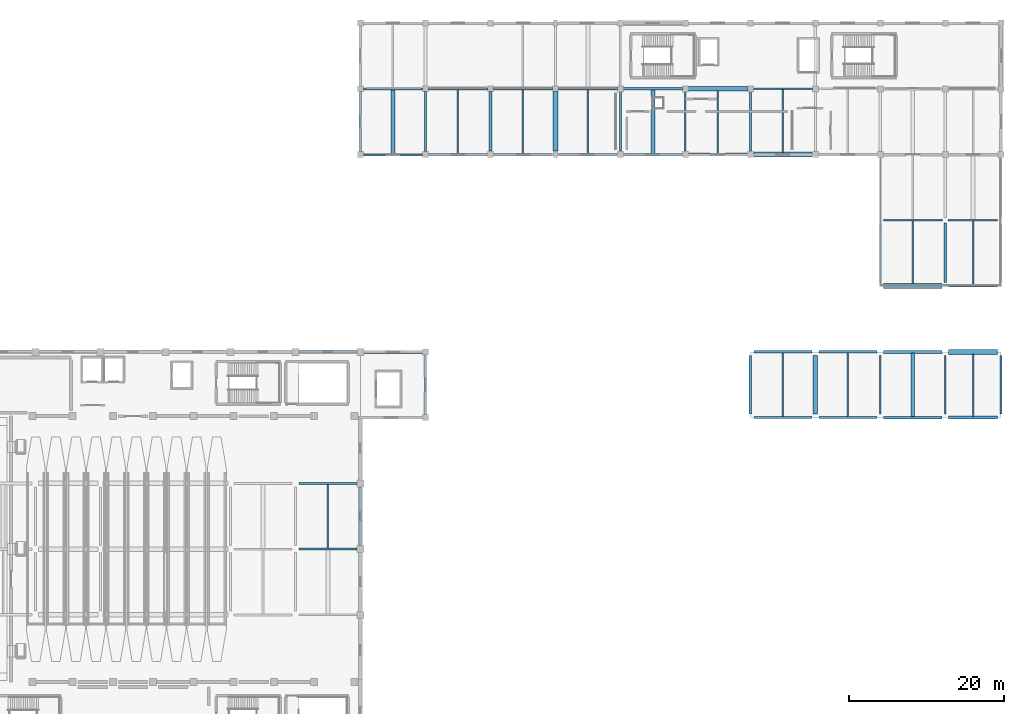
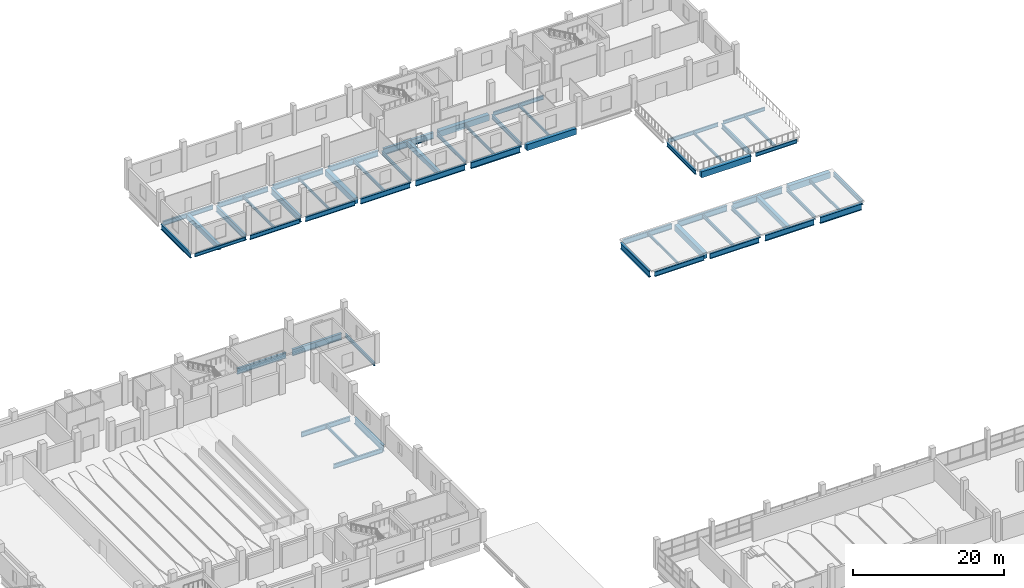
# One storey, part 72 of 117: 60 beams.
"""IFC4 building model written with IfcOpenShell, lengths in metres."""

from ifc_helpers import new_model, si_unit, direction, frame, origin, origin_2d, place, context, subcontext, project, spatial, rectangle, i_section, extrude, material, material_profile, profile_set, type_object, element, save


model = new_model("IFC4")

# Units and contexts
model_context = context("Model", 3, precision=1e-05, world=origin(), true_north=direction((0.0, 1.0)))
body_context = subcontext(model_context, "Body", "Model", "MODEL_VIEW")
ifc_project = project(units=[si_unit("LENGTHUNIT", "METRE"), si_unit("AREAUNIT", "SQUARE_METRE"), si_unit("VOLUMEUNIT", "CUBIC_METRE"), si_unit("PLANEANGLEUNIT", "RADIAN"), si_unit("MASSUNIT", "GRAM", prefix="KILO")], contexts=[model_context])

# Site, building, storey
site_placement = place(None, origin())
site = spatial("IfcSite", under=ifc_project, at=site_placement, CompositionType="ELEMENT")
building_placement = place(site_placement, origin())
building = spatial("IfcBuilding", under=site, at=building_placement, Name="Solvento Point Concert Hall", CompositionType="ELEMENT")
storey_placement = place(building_placement, frame((0.0, 0.0, 5.39990234375)))
storey = spatial("IfcBuildingStorey", under=building, at=storey_placement, Name="L01", CompositionType="ELEMENT", Elevation=5.39990234375)

# Beams
ifc_material_1 = material(Name="Concrete C35/45", Category="concrete")
ifc_material_profile_1 = material_profile(ifc_material_1, rectangle(XDim=0.5, YDim=0.800048828125, at=origin_2d()), Name="RC-BM-500X800")
ifc_profile_set_1 = profile_set([ifc_material_profile_1], Name="Concrete C35/45")
beam_type_1 = type_object("IfcBeamType", Name="Beam_RC_500x800", PredefinedType="BEAM", material=ifc_profile_set_1)
beam_1_placement = place(storey_placement, frame((137.39990234375, 119.092041015625, -0.683837890625), z_axis=(0.0, 1.0, 0.0), x_axis=(-1.0, 0.0, 0.0)))
element("IfcBeam", 1, at=beam_1_placement, inside=storey, type_object=beam_type_1, Name="Secondary floor joist B-63 L01", PredefinedType="BEAM", context=body_context, shape_type="SweptSolid", body=[
    extrude(rectangle(XDim=0.5, YDim=0.800048828125, at=origin_2d()), origin(), (0.0, 0.0, 1.0), 8.294921875),
])
for number, where, z_axis, x_axis, name in (
    (2, (171.0, 119.138916015625, -0.683837890625), (0.0, 1.0, 0.0), (-1.0, 0.0, 0.0), "Secondary floor joist B-63 L01"),
    (3, (204.60009765625, 85.138916015625, -0.663818359375), (0.0, 1.0, 0.0), (-1.0, 0.0, 0.0), "Secondary floor joist B-63 L01"),
):
    element("IfcBeam", number, at=place(storey_placement, frame(where, z_axis=z_axis, x_axis=x_axis)), inside=storey, type_object=beam_type_1, Name=name, PredefinedType="BEAM", context=body_context, shape_type="SweptSolid", body=[
        extrude(rectangle(XDim=0.5, YDim=0.800048828125, at=origin_2d()), origin(), (0.0, 0.0, 1.0), 8.195556640625),
    ])
ifc_material_2 = material(Name="Structural Steel ASTM A992 Grade 50", Category="steel")
ifc_material_profile_2 = material_profile(ifc_material_2, i_section(OverallWidth=0.20947265625, OverallDepth=0.532958984375, WebThickness=0.01025390625, FlangeThickness=0.015625, at=origin_2d()), Name="W21X62")
ifc_profile_set_2 = profile_set([ifc_material_profile_2], Name="Structural Steel ASTM A992 Grade 50")
beam_type_2 = type_object("IfcBeamType", Name="Beam_W21X62", PredefinedType="BEAM", material=ifc_profile_set_2)
for number, where, z_axis, x_axis, name in (
    (4, (162.60009765625, 119.131103515625, -0.55029296875), (0.0, 1.0, 0.0), (-1.0, 0.0, 0.0), "Secondary floor joist B-25 L01"),
    (5, (196.199951171875, 85.131103515625, -0.530517578125), (0.0, 1.0, 0.0), (-1.0, 0.0, 0.0), "Secondary floor joist B-25 L01"),
):
    element("IfcBeam", number, at=place(storey_placement, frame(where, z_axis=z_axis, x_axis=x_axis)), inside=storey, type_object=beam_type_2, Name=name, PredefinedType="BEAM", context=body_context, shape_type="SweptSolid", body=[
        extrude(i_section(OverallWidth=0.20947265625, OverallDepth=0.532958984375, WebThickness=0.01025390625, FlangeThickness=0.015625, at=origin_2d()), origin(), (0.0, 0.0, 1.0), 8.22998046875),
    ])
beam_2_placement = place(storey_placement, frame((212.39990234375, 102.09912109375, -0.510498046875), z_axis=(0.0, 1.0, 0.0), x_axis=(-1.0, 0.0, 0.0)))
element("IfcBeam", 6, at=beam_2_placement, inside=storey, type_object=beam_type_2, Name="Secondary floor joist B-25 L01", PredefinedType="BEAM", context=body_context, shape_type="SweptSolid", body=[
    extrude(i_section(OverallWidth=0.20947265625, OverallDepth=0.532958984375, WebThickness=0.01025390625, FlangeThickness=0.015625, at=origin_2d()), origin(), (0.0, 0.0, 1.0), 8.308837890625),
])
ifc_material_3 = material(Name="Structural Steel ASTM A992 Grade 50", Category="steel")
ifc_material_profile_3 = material_profile(ifc_material_3, i_section(OverallWidth=0.214111328125, OverallDepth=0.549072265625, WebThickness=0.0146484375, FlangeThickness=0.023681640625, at=origin_2d()), Name="W21X93")
ifc_profile_set_3 = profile_set([ifc_material_profile_3], Name="Structural Steel ASTM A992 Grade 50")
beam_type_3 = type_object("IfcBeamType", Name="Beam_W21X93", PredefinedType="BEAM", material=ifc_profile_set_3)
beam_3_placement = place(storey_placement, frame((209.1689453125, 110.5, -0.518310546875), z_axis=(1.0, 0.0, 0.0), x_axis=(0.0, 1.0, 0.0)))
element("IfcBeam", 7, at=beam_3_placement, inside=storey, type_object=beam_type_3, Name="Primary girder B-48 L01", PredefinedType="BEAM", context=body_context, shape_type="SweptSolid", body=[
    extrude(i_section(OverallWidth=0.214111328125, OverallDepth=0.549072265625, WebThickness=0.0146484375, FlangeThickness=0.023681640625, at=origin_2d()), origin(), (0.0, 0.0, 1.0), 6.386962890625),
])
beam_4_placement = place(storey_placement, frame((133.569091796875, 119.0, -0.558349609375), z_axis=(1.0, 0.0, 0.0), x_axis=(0.0, 1.0, 0.0)))
element("IfcBeam", 8, at=beam_4_placement, inside=storey, type_object=beam_type_3, Name="Primary girder B-48 L01", PredefinedType="BEAM", context=body_context, shape_type="SweptSolid", body=[
    extrude(i_section(OverallWidth=0.214111328125, OverallDepth=0.549072265625, WebThickness=0.0146484375, FlangeThickness=0.023681640625, at=origin_2d()), origin(), (0.0, 0.0, 1.0), 7.661865234375),
])
beam_5_placement = place(storey_placement, frame((141.60009765625, 85.368896484375, -0.558349609375), z_axis=(0.0, 1.0, 0.0), x_axis=(-1.0, 0.0, 0.0)))
element("IfcBeam", 9, at=beam_5_placement, inside=storey, type_object=beam_type_3, Name="Primary girder B-48 L01", PredefinedType="BEAM", context=body_context, shape_type="SweptSolid", body=[
    extrude(i_section(OverallWidth=0.214111328125, OverallDepth=0.549072265625, WebThickness=0.0146484375, FlangeThickness=0.023681640625, at=origin_2d()), origin(), (0.0, 0.0, 1.0), 7.76220703125),
])
beam_6_placement = place(storey_placement, frame((175.199951171875, 119.444091796875, -0.558349609375), z_axis=(0.0, 1.0, 0.0), x_axis=(-1.0, 0.0, 0.0)))
element("IfcBeam", 10, at=beam_6_placement, inside=storey, type_object=beam_type_3, Name="Primary girder B-48 L01", PredefinedType="BEAM", context=body_context, shape_type="SweptSolid", body=[
    extrude(i_section(OverallWidth=0.214111328125, OverallDepth=0.549072265625, WebThickness=0.0146484375, FlangeThickness=0.023681640625, at=origin_2d()), origin(), (0.0, 0.0, 1.0), 7.68701171875),
])
beam_7_placement = place(storey_placement, frame((208.800048828125, 85.444091796875, -0.538330078125), z_axis=(0.0, 1.0, 0.0), x_axis=(-1.0, 0.0, 0.0)))
element("IfcBeam", 11, at=beam_7_placement, inside=storey, type_object=beam_type_3, Name="Primary girder B-48 L01", PredefinedType="BEAM", context=body_context, shape_type="SweptSolid", body=[
    extrude(i_section(OverallWidth=0.214111328125, OverallDepth=0.549072265625, WebThickness=0.0146484375, FlangeThickness=0.023681640625, at=origin_2d()), origin(), (0.0, 0.0, 1.0), 7.61181640625),
])
ifc_material_4 = material(Name="Structural Steel ASTM A992 Grade 50", Category="steel")
ifc_material_profile_4 = material_profile(ifc_material_4, i_section(OverallWidth=0.228515625, OverallDepth=0.60791015625, WebThickness=0.01123046875, FlangeThickness=0.017333984375, at=origin_2d()), Name="W24X76")
ifc_profile_set_4 = profile_set([ifc_material_profile_4], Name="Structural Steel ASTM A992 Grade 50")
beam_type_4 = type_object("IfcBeamType", Name="Beam_W24X76", PredefinedType="BEAM", material=ifc_profile_set_4)
beam_8_placement = place(storey_placement, frame((209.243896484375, 102.0, -0.5478515625), z_axis=(1.0, 0.0, 0.0), x_axis=(0.0, 1.0, 0.0)))
element("IfcBeam", 12, at=beam_8_placement, inside=storey, type_object=beam_type_4, Name="Primary girder B-42 L01", PredefinedType="BEAM", context=body_context, shape_type="SweptSolid", body=[
    extrude(i_section(OverallWidth=0.228515625, OverallDepth=0.60791015625, WebThickness=0.01123046875, FlangeThickness=0.017333984375, at=origin_2d()), origin(), (0.0, 0.0, 1.0), 6.31201171875),
])
beam_9_placement = place(storey_placement, frame((200.843994140625, 110.5, -0.5478515625), z_axis=(1.0, 0.0, 0.0), x_axis=(0.0, 1.0, 0.0)))
element("IfcBeam", 13, at=beam_9_placement, inside=storey, type_object=beam_type_4, Name="Primary girder B-42 L01", PredefinedType="BEAM", context=body_context, shape_type="SweptSolid", body=[
    extrude(i_section(OverallWidth=0.228515625, OverallDepth=0.60791015625, WebThickness=0.01123046875, FlangeThickness=0.017333984375, at=origin_2d()), origin(), (0.0, 0.0, 1.0), 7.5869140625),
])
beam_10_placement = place(storey_placement, frame((183.968994140625, 127.5, -0.587890625), z_axis=(1.0, 0.0, 0.0), x_axis=(0.0, 1.0, 0.0)))
element("IfcBeam", 14, at=beam_10_placement, inside=storey, type_object=beam_type_4, Name="Primary girder B-42 L01", PredefinedType="BEAM", context=body_context, shape_type="SweptSolid", body=[
    extrude(i_section(OverallWidth=0.228515625, OverallDepth=0.60791015625, WebThickness=0.01123046875, FlangeThickness=0.017333984375, at=origin_2d()), origin(), (0.0, 0.0, 1.0), 7.662109375),
])
beam_11_placement = place(storey_placement, frame((166.800048828125, 119.444091796875, -0.587890625), z_axis=(0.0, 1.0, 0.0), x_axis=(-1.0, 0.0, 0.0)))
element("IfcBeam", 15, at=beam_11_placement, inside=storey, type_object=beam_type_4, Name="Primary girder B-42 L01", PredefinedType="BEAM", context=body_context, shape_type="SweptSolid", body=[
    extrude(i_section(OverallWidth=0.228515625, OverallDepth=0.60791015625, WebThickness=0.01123046875, FlangeThickness=0.017333984375, at=origin_2d()), origin(), (0.0, 0.0, 1.0), 7.68701171875),
])
beam_12_placement = place(storey_placement, frame((200.39990234375, 85.444091796875, -0.56787109375), z_axis=(0.0, 1.0, 0.0), x_axis=(-1.0, 0.0, 0.0)))
element("IfcBeam", 16, at=beam_12_placement, inside=storey, type_object=beam_type_4, Name="Primary girder B-42 L01", PredefinedType="BEAM", context=body_context, shape_type="SweptSolid", body=[
    extrude(i_section(OverallWidth=0.228515625, OverallDepth=0.60791015625, WebThickness=0.01123046875, FlangeThickness=0.017333984375, at=origin_2d()), origin(), (0.0, 0.0, 1.0), 7.61181640625),
])
ifc_material_5 = material(Name="Concrete C35/45", Category="concrete")
ifc_material_profile_5 = material_profile(ifc_material_5, rectangle(XDim=0.6201171875, YDim=0.9599609375, at=origin_2d()), Name="RC-BM-620X960")
ifc_profile_set_5 = profile_set([ifc_material_profile_5], Name="Concrete C35/45")
beam_type_5 = type_object("IfcBeamType", Name="Girder_RC_620x960", PredefinedType="USERDEFINED", material=ifc_profile_set_5)
beam_13_placement = place(storey_placement, frame((209.243896484375, 93.5, -0.743896484375), z_axis=(1.0, 0.0, 0.0), x_axis=(0.0, 1.0, 0.0)))
element("IfcBeam", 17, at=beam_13_placement, inside=storey, type_object=beam_type_5, Name="Primary girder B-69 L01", ObjectType="GIRDER", PredefinedType="USERDEFINED", context=body_context, shape_type="SweptSolid", body=[
    extrude(rectangle(XDim=0.6201171875, YDim=0.9599609375, at=origin_2d()), origin(), (0.0, 0.0, 1.0), 6.31201171875),
])
for number, where, z_axis, x_axis, name in (
    (18, (200.843994140625, 102.0, -0.723876953125), (1.0, 0.0, 0.0), (0.0, 1.0, 0.0), "Primary girder B-69 L01"),
    (19, (184.0439453125, 119.0, -0.763916015625), (1.0, 0.0, 0.0), (0.0, 1.0, 0.0), "Primary girder B-69 L01"),
):
    element("IfcBeam", number, at=place(storey_placement, frame(where, z_axis=z_axis, x_axis=x_axis)), inside=storey, type_object=beam_type_5, Name=name, ObjectType="GIRDER", PredefinedType="USERDEFINED", context=body_context, shape_type="SweptSolid", body=[
        extrude(rectangle(XDim=0.6201171875, YDim=0.9599609375, at=origin_2d()), origin(), (0.0, 0.0, 1.0), 7.511962890625),
    ])
beam_14_placement = place(storey_placement, frame((175.569091796875, 127.5, -0.763916015625), z_axis=(1.0, 0.0, 0.0), x_axis=(0.0, 1.0, 0.0)))
element("IfcBeam", 20, at=beam_14_placement, inside=storey, type_object=beam_type_5, Name="Primary girder B-69 L01", ObjectType="GIRDER", PredefinedType="USERDEFINED", context=body_context, shape_type="SweptSolid", body=[
    extrude(rectangle(XDim=0.6201171875, YDim=0.9599609375, at=origin_2d()), origin(), (0.0, 0.0, 1.0), 7.661865234375),
])
beam_15_placement = place(storey_placement, frame((158.39990234375, 119.444091796875, -0.763916015625), z_axis=(0.0, 1.0, 0.0), x_axis=(-1.0, 0.0, 0.0)))
element("IfcBeam", 21, at=beam_15_placement, inside=storey, type_object=beam_type_5, Name="Primary girder B-69 L01", ObjectType="GIRDER", PredefinedType="USERDEFINED", context=body_context, shape_type="SweptSolid", body=[
    extrude(rectangle(XDim=0.6201171875, YDim=0.9599609375, at=origin_2d()), origin(), (0.0, 0.0, 1.0), 7.68701171875),
])
beam_16_placement = place(storey_placement, frame((192.0, 85.444091796875, -0.743896484375), z_axis=(0.0, 1.0, 0.0), x_axis=(-1.0, 0.0, 0.0)))
element("IfcBeam", 22, at=beam_16_placement, inside=storey, type_object=beam_type_5, Name="Primary girder B-69 L01", ObjectType="GIRDER", PredefinedType="USERDEFINED", context=body_context, shape_type="SweptSolid", body=[
    extrude(rectangle(XDim=0.6201171875, YDim=0.9599609375, at=origin_2d()), origin(), (0.0, 0.0, 1.0), 7.61181640625),
])
ifc_material_6 = material(Name="Structural Steel ASTM A992 Grade 50", Category="steel")
ifc_material_profile_6 = material_profile(ifc_material_6, i_section(OverallWidth=0.256103515625, OverallDepth=0.693115234375, WebThickness=0.014404296875, FlangeThickness=0.023681640625, at=origin_2d()), Name="W27X114")
ifc_profile_set_6 = profile_set([ifc_material_profile_6], Name="Structural Steel ASTM A992 Grade 50")
beam_type_6 = type_object("IfcBeamType", Name="Girder_W27X114", PredefinedType="USERDEFINED", material=ifc_profile_set_6)
beam_17_placement = place(storey_placement, frame((125.26904296875, 68.0, -0.7705078125), z_axis=(1.0, 0.0, 0.0), x_axis=(0.0, 1.0, 0.0)))
element("IfcBeam", 23, at=beam_17_placement, inside=storey, type_object=beam_type_6, Name="Primary girder B-23 L01", ObjectType="GIRDER", PredefinedType="USERDEFINED", context=body_context, shape_type="SweptSolid", body=[
    extrude(i_section(OverallWidth=0.256103515625, OverallDepth=0.693115234375, WebThickness=0.014404296875, FlangeThickness=0.023681640625, at=origin_2d()), origin(), (0.0, 0.0, 1.0), 7.4619140625),
])
beam_18_placement = place(storey_placement, frame((141.968994140625, 119.0, -0.63037109375), z_axis=(1.0, 0.0, 0.0), x_axis=(0.0, 1.0, 0.0)))
element("IfcBeam", 24, at=beam_18_placement, inside=storey, type_object=beam_type_6, Name="Primary girder B-23 L01", ObjectType="GIRDER", PredefinedType="USERDEFINED", context=body_context, shape_type="SweptSolid", body=[
    extrude(i_section(OverallWidth=0.256103515625, OverallDepth=0.693115234375, WebThickness=0.014404296875, FlangeThickness=0.023681640625, at=origin_2d()), origin(), (0.0, 0.0, 1.0), 7.5869140625),
])
beam_19_placement = place(storey_placement, frame((133.569091796875, 127.5, -0.63037109375), z_axis=(1.0, 0.0, 0.0), x_axis=(0.0, 1.0, 0.0)))
element("IfcBeam", 25, at=beam_19_placement, inside=storey, type_object=beam_type_6, Name="Primary girder B-23 L01", ObjectType="GIRDER", PredefinedType="USERDEFINED", context=body_context, shape_type="SweptSolid", body=[
    extrude(i_section(OverallWidth=0.256103515625, OverallDepth=0.693115234375, WebThickness=0.014404296875, FlangeThickness=0.023681640625, at=origin_2d()), origin(), (0.0, 0.0, 1.0), 7.661865234375),
])
beam_20_placement = place(storey_placement, frame((183.60009765625, 119.444091796875, -0.63037109375), z_axis=(0.0, 1.0, 0.0), x_axis=(-1.0, 0.0, 0.0)))
element("IfcBeam", 26, at=beam_20_placement, inside=storey, type_object=beam_type_6, Name="Primary girder B-23 L01", ObjectType="GIRDER", PredefinedType="USERDEFINED", context=body_context, shape_type="SweptSolid", body=[
    extrude(i_section(OverallWidth=0.256103515625, OverallDepth=0.693115234375, WebThickness=0.014404296875, FlangeThickness=0.023681640625, at=origin_2d()), origin(), (0.0, 0.0, 1.0), 7.68701171875),
])
for number, where, z_axis, x_axis, name in (
    (27, (200.39990234375, 102.444091796875, -0.59033203125), (0.0, 1.0, 0.0), (-1.0, 0.0, 0.0), "Primary girder B-23 L01"),
    (28, (216.0, 85.444091796875, -0.6103515625), (0.0, 1.0, 0.0), (-1.0, 0.0, 0.0), "Primary girder B-23 L01"),
):
    element("IfcBeam", number, at=place(storey_placement, frame(where, z_axis=z_axis, x_axis=x_axis)), inside=storey, type_object=beam_type_6, Name=name, ObjectType="GIRDER", PredefinedType="USERDEFINED", context=body_context, shape_type="SweptSolid", body=[
        extrude(i_section(OverallWidth=0.256103515625, OverallDepth=0.693115234375, WebThickness=0.014404296875, FlangeThickness=0.023681640625, at=origin_2d()), origin(), (0.0, 0.0, 1.0), 7.61181640625),
    ])
ifc_material_7 = material(Name="Structural Steel ASTM A992 Grade 50", Category="steel")
ifc_material_profile_7 = material_profile(ifc_material_7, i_section(OverallWidth=0.26806640625, OverallDepth=0.77001953125, WebThickness=0.015625, FlangeThickness=0.025390625, at=origin_2d()), Name="W30X132")
ifc_profile_set_7 = profile_set([ifc_material_profile_7], Name="Structural Steel ASTM A992 Grade 50")
beam_type_7 = type_object("IfcBeamType", Name="Girder_W30X132", PredefinedType="USERDEFINED", material=ifc_profile_set_7)
beam_21_placement = place(storey_placement, frame((125.26904296875, 76.5, -0.808837890625), z_axis=(1.0, 0.0, 0.0), x_axis=(0.0, 1.0, 0.0)))
element("IfcBeam", 29, at=beam_21_placement, inside=storey, type_object=beam_type_7, Name="Primary girder B-68 L01", ObjectType="GIRDER", PredefinedType="USERDEFINED", context=body_context, shape_type="SweptSolid", body=[
    extrude(i_section(OverallWidth=0.26806640625, OverallDepth=0.77001953125, WebThickness=0.015625, FlangeThickness=0.025390625, at=origin_2d()), origin(), (0.0, 0.0, 1.0), 7.4619140625),
])
for number, where, z_axis, x_axis, name in (
    (30, (184.0439453125, 85.0, -0.64892578125), (1.0, 0.0, 0.0), (0.0, 1.0, 0.0), "Primary girder B-68 L01"),
    (31, (150.444091796875, 119.0, -0.6689453125), (1.0, 0.0, 0.0), (0.0, 1.0, 0.0), "Primary girder B-68 L01"),
):
    element("IfcBeam", number, at=place(storey_placement, frame(where, z_axis=z_axis, x_axis=x_axis)), inside=storey, type_object=beam_type_7, Name=name, ObjectType="GIRDER", PredefinedType="USERDEFINED", context=body_context, shape_type="SweptSolid", body=[
        extrude(i_section(OverallWidth=0.26806640625, OverallDepth=0.77001953125, WebThickness=0.015625, FlangeThickness=0.025390625, at=origin_2d()), origin(), (0.0, 0.0, 1.0), 7.511962890625),
    ])
beam_22_placement = place(storey_placement, frame((141.968994140625, 127.5, -0.6689453125), z_axis=(1.0, 0.0, 0.0), x_axis=(0.0, 1.0, 0.0)))
element("IfcBeam", 32, at=beam_22_placement, inside=storey, type_object=beam_type_7, Name="Primary girder B-68 L01", ObjectType="GIRDER", PredefinedType="USERDEFINED", context=body_context, shape_type="SweptSolid", body=[
    extrude(i_section(OverallWidth=0.26806640625, OverallDepth=0.77001953125, WebThickness=0.015625, FlangeThickness=0.025390625, at=origin_2d()), origin(), (0.0, 0.0, 1.0), 7.662109375),
])
beam_23_placement = place(storey_placement, frame((208.800048828125, 102.444091796875, -0.62890625), z_axis=(0.0, 1.0, 0.0), x_axis=(-1.0, 0.0, 0.0)))
element("IfcBeam", 33, at=beam_23_placement, inside=storey, type_object=beam_type_7, Name="Primary girder B-68 L01", ObjectType="GIRDER", PredefinedType="USERDEFINED", context=body_context, shape_type="SweptSolid", body=[
    extrude(i_section(OverallWidth=0.26806640625, OverallDepth=0.77001953125, WebThickness=0.015625, FlangeThickness=0.025390625, at=origin_2d()), origin(), (0.0, 0.0, 1.0), 7.68701171875),
])
ifc_material_8 = material(Name="Structural Steel ASTM A992 Grade 50", Category="steel")
ifc_material_profile_8 = material_profile(ifc_material_8, i_section(OverallWidth=0.2919921875, OverallDepth=0.85888671875, WebThickness=0.01708984375, FlangeThickness=0.031005859375, at=origin_2d()), Name="W33X169")
ifc_profile_set_8 = profile_set([ifc_material_profile_8], Name="Structural Steel ASTM A992 Grade 50")
beam_type_8 = type_object("IfcBeamType", Name="Girder_W33X169", PredefinedType="USERDEFINED", material=ifc_profile_set_8)
for number, where, z_axis, x_axis, name in (
    (34, (192.444091796875, 85.0, -0.693359375), (1.0, 0.0, 0.0), (0.0, 1.0, 0.0), "Primary girder B-33 L01"),
    (35, (184.0439453125, 93.5, -0.693359375), (1.0, 0.0, 0.0), (0.0, 1.0, 0.0), "Primary girder B-33 L01"),
    (36, (158.843994140625, 119.0, -0.71337890625), (1.0, 0.0, 0.0), (0.0, 1.0, 0.0), "Primary girder B-33 L01"),
):
    element("IfcBeam", number, at=place(storey_placement, frame(where, z_axis=z_axis, x_axis=x_axis)), inside=storey, type_object=beam_type_8, Name=name, ObjectType="GIRDER", PredefinedType="USERDEFINED", context=body_context, shape_type="SweptSolid", body=[
        extrude(i_section(OverallWidth=0.2919921875, OverallDepth=0.85888671875, WebThickness=0.01708984375, FlangeThickness=0.031005859375, at=origin_2d()), origin(), (0.0, 0.0, 1.0), 7.511962890625),
    ])
beam_24_placement = place(storey_placement, frame((150.368896484375, 127.5, -0.71337890625), z_axis=(1.0, 0.0, 0.0), x_axis=(0.0, 1.0, 0.0)))
element("IfcBeam", 37, at=beam_24_placement, inside=storey, type_object=beam_type_8, Name="Primary girder B-33 L01", ObjectType="GIRDER", PredefinedType="USERDEFINED", context=body_context, shape_type="SweptSolid", body=[
    extrude(i_section(OverallWidth=0.2919921875, OverallDepth=0.85888671875, WebThickness=0.01708984375, FlangeThickness=0.031005859375, at=origin_2d()), origin(), (0.0, 0.0, 1.0), 7.662109375),
])
beam_25_placement = place(storey_placement, frame((133.199951171875, 119.368896484375, -0.71337890625), z_axis=(0.0, 1.0, 0.0), x_axis=(-1.0, 0.0, 0.0)))
element("IfcBeam", 38, at=beam_25_placement, inside=storey, type_object=beam_type_8, Name="Primary girder B-33 L01", ObjectType="GIRDER", PredefinedType="USERDEFINED", context=body_context, shape_type="SweptSolid", body=[
    extrude(i_section(OverallWidth=0.2919921875, OverallDepth=0.85888671875, WebThickness=0.01708984375, FlangeThickness=0.031005859375, at=origin_2d()), origin(), (0.0, 0.0, 1.0), 7.76220703125),
])
ifc_material_9 = material(Name="Structural Steel ASTM A992 Grade 50", Category="steel")
ifc_material_profile_9 = material_profile(ifc_material_9, i_section(OverallWidth=0.3076171875, OverallDepth=0.927001953125, WebThickness=0.019287109375, FlangeThickness=0.031982421875, at=origin_2d()), Name="W36X194")
ifc_profile_set_9 = profile_set([ifc_material_profile_9], Name="Structural Steel ASTM A992 Grade 50")
beam_type_9 = type_object("IfcBeamType", Name="Girder_W36X194", PredefinedType="USERDEFINED", material=ifc_profile_set_9)
beam_26_placement = place(storey_placement, frame((200.843994140625, 85.0, -0.727294921875), z_axis=(1.0, 0.0, 0.0), x_axis=(0.0, 1.0, 0.0)))
element("IfcBeam", 39, at=beam_26_placement, inside=storey, type_object=beam_type_9, Name="Primary girder B-61 L01", ObjectType="GIRDER", PredefinedType="USERDEFINED", context=body_context, shape_type="SweptSolid", body=[
    extrude(i_section(OverallWidth=0.3076171875, OverallDepth=0.927001953125, WebThickness=0.019287109375, FlangeThickness=0.031982421875, at=origin_2d()), origin(), (0.0, 0.0, 1.0), 7.511962890625),
])
beam_27_placement = place(storey_placement, frame((125.26904296875, 93.5, -0.887451171875), z_axis=(1.0, 0.0, 0.0), x_axis=(0.0, 1.0, 0.0)))
element("IfcBeam", 40, at=beam_27_placement, inside=storey, type_object=beam_type_9, Name="Primary girder B-61 L01", ObjectType="GIRDER", PredefinedType="USERDEFINED", context=body_context, shape_type="SweptSolid", body=[
    extrude(i_section(OverallWidth=0.3076171875, OverallDepth=0.927001953125, WebThickness=0.019287109375, FlangeThickness=0.031982421875, at=origin_2d()), origin(), (0.0, 0.0, 1.0), 7.4619140625),
])
beam_28_placement = place(storey_placement, frame((192.444091796875, 93.5, -0.727294921875), z_axis=(1.0, 0.0, 0.0), x_axis=(0.0, 1.0, 0.0)))
element("IfcBeam", 41, at=beam_28_placement, inside=storey, type_object=beam_type_9, Name="Primary girder B-61 L01", ObjectType="GIRDER", PredefinedType="USERDEFINED", context=body_context, shape_type="SweptSolid", body=[
    extrude(i_section(OverallWidth=0.3076171875, OverallDepth=0.927001953125, WebThickness=0.019287109375, FlangeThickness=0.031982421875, at=origin_2d()), origin(), (0.0, 0.0, 1.0), 7.511962890625),
])
beam_29_placement = place(storey_placement, frame((167.243896484375, 119.0, -0.747314453125), z_axis=(1.0, 0.0, 0.0), x_axis=(0.0, 1.0, 0.0)))
element("IfcBeam", 42, at=beam_29_placement, inside=storey, type_object=beam_type_9, Name="Primary girder B-61 L01", ObjectType="GIRDER", PredefinedType="USERDEFINED", context=body_context, shape_type="SweptSolid", body=[
    extrude(i_section(OverallWidth=0.3076171875, OverallDepth=0.927001953125, WebThickness=0.019287109375, FlangeThickness=0.031982421875, at=origin_2d()), origin(), (0.0, 0.0, 1.0), 7.51220703125),
])
beam_30_placement = place(storey_placement, frame((158.76904296875, 127.5, -0.747314453125), z_axis=(1.0, 0.0, 0.0), x_axis=(0.0, 1.0, 0.0)))
element("IfcBeam", 43, at=beam_30_placement, inside=storey, type_object=beam_type_9, Name="Primary girder B-61 L01", ObjectType="GIRDER", PredefinedType="USERDEFINED", context=body_context, shape_type="SweptSolid", body=[
    extrude(i_section(OverallWidth=0.3076171875, OverallDepth=0.927001953125, WebThickness=0.019287109375, FlangeThickness=0.031982421875, at=origin_2d()), origin(), (0.0, 0.0, 1.0), 7.661865234375),
])
beam_31_placement = place(storey_placement, frame((141.60009765625, 119.368896484375, -0.747314453125), z_axis=(0.0, 1.0, 0.0), x_axis=(-1.0, 0.0, 0.0)))
element("IfcBeam", 44, at=beam_31_placement, inside=storey, type_object=beam_type_9, Name="Primary girder B-61 L01", ObjectType="GIRDER", PredefinedType="USERDEFINED", context=body_context, shape_type="SweptSolid", body=[
    extrude(i_section(OverallWidth=0.3076171875, OverallDepth=0.927001953125, WebThickness=0.019287109375, FlangeThickness=0.031982421875, at=origin_2d()), origin(), (0.0, 0.0, 1.0), 7.76220703125),
])
ifc_material_10 = material(Name="Structural Steel ASTM A992 Grade 50", Category="steel")
ifc_material_profile_10 = material_profile(ifc_material_10, i_section(OverallWidth=0.361083984375, OverallDepth=1.02587890625, WebThickness=0.01904296875, FlangeThickness=0.0361328125, at=origin_2d()), Name="W40X249")
ifc_profile_set_10 = profile_set([ifc_material_profile_10], Name="Structural Steel ASTM A992 Grade 50")
beam_type_10 = type_object("IfcBeamType", Name="Girder_W40X249", PredefinedType="USERDEFINED", material=ifc_profile_set_10)
beam_32_placement = place(storey_placement, frame((209.243896484375, 85.0, -0.77685546875), z_axis=(1.0, 0.0, 0.0), x_axis=(0.0, 1.0, 0.0)))
element("IfcBeam", 45, at=beam_32_placement, inside=storey, type_object=beam_type_10, Name="Primary girder B-29 L01", ObjectType="GIRDER", PredefinedType="USERDEFINED", context=body_context, shape_type="SweptSolid", body=[
    extrude(i_section(OverallWidth=0.361083984375, OverallDepth=1.02587890625, WebThickness=0.01904296875, FlangeThickness=0.0361328125, at=origin_2d()), origin(), (0.0, 0.0, 1.0), 6.31201171875),
])
beam_33_placement = place(storey_placement, frame((133.6689453125, 93.5, -0.796875), z_axis=(1.0, 0.0, 0.0), x_axis=(0.0, 1.0, 0.0)))
element("IfcBeam", 46, at=beam_33_placement, inside=storey, type_object=beam_type_10, Name="Primary girder B-29 L01", ObjectType="GIRDER", PredefinedType="USERDEFINED", context=body_context, shape_type="SweptSolid", body=[
    extrude(i_section(OverallWidth=0.361083984375, OverallDepth=1.02587890625, WebThickness=0.01904296875, FlangeThickness=0.0361328125, at=origin_2d()), origin(), (0.0, 0.0, 1.0), 7.56201171875),
])
for number, where, z_axis, x_axis, name in (
    (47, (200.843994140625, 93.5, -0.77685546875), (1.0, 0.0, 0.0), (0.0, 1.0, 0.0), "Primary girder B-29 L01"),
    (48, (175.64404296875, 119.0, -0.796875), (1.0, 0.0, 0.0), (0.0, 1.0, 0.0), "Primary girder B-29 L01"),
):
    element("IfcBeam", number, at=place(storey_placement, frame(where, z_axis=z_axis, x_axis=x_axis)), inside=storey, type_object=beam_type_10, Name=name, ObjectType="GIRDER", PredefinedType="USERDEFINED", context=body_context, shape_type="SweptSolid", body=[
        extrude(i_section(OverallWidth=0.361083984375, OverallDepth=1.02587890625, WebThickness=0.01904296875, FlangeThickness=0.0361328125, at=origin_2d()), origin(), (0.0, 0.0, 1.0), 7.511962890625),
    ])
beam_34_placement = place(storey_placement, frame((167.1689453125, 127.5, -0.796875), z_axis=(1.0, 0.0, 0.0), x_axis=(0.0, 1.0, 0.0)))
element("IfcBeam", 49, at=beam_34_placement, inside=storey, type_object=beam_type_10, Name="Primary girder B-29 L01", ObjectType="GIRDER", PredefinedType="USERDEFINED", context=body_context, shape_type="SweptSolid", body=[
    extrude(i_section(OverallWidth=0.361083984375, OverallDepth=1.02587890625, WebThickness=0.01904296875, FlangeThickness=0.0361328125, at=origin_2d()), origin(), (0.0, 0.0, 1.0), 7.662109375),
])
beam_35_placement = place(storey_placement, frame((133.199951171875, 68.468994140625, -0.93701171875), z_axis=(0.0, 1.0, 0.0), x_axis=(-1.0, 0.0, 0.0)))
element("IfcBeam", 50, at=beam_35_placement, inside=storey, type_object=beam_type_10, Name="Primary girder B-29 L01", ObjectType="GIRDER", PredefinedType="USERDEFINED", context=body_context, shape_type="SweptSolid", body=[
    extrude(i_section(OverallWidth=0.361083984375, OverallDepth=1.02587890625, WebThickness=0.01904296875, FlangeThickness=0.0361328125, at=origin_2d()), origin(), (0.0, 0.0, 1.0), 7.56201171875),
])
beam_36_placement = place(storey_placement, frame((150.0, 119.444091796875, -0.796875), z_axis=(0.0, 1.0, 0.0), x_axis=(-1.0, 0.0, 0.0)))
element("IfcBeam", 51, at=beam_36_placement, inside=storey, type_object=beam_type_10, Name="Primary girder B-29 L01", ObjectType="GIRDER", PredefinedType="USERDEFINED", context=body_context, shape_type="SweptSolid", body=[
    extrude(i_section(OverallWidth=0.361083984375, OverallDepth=1.02587890625, WebThickness=0.01904296875, FlangeThickness=0.0361328125, at=origin_2d()), origin(), (0.0, 0.0, 1.0), 7.68701171875),
])
beam_37_placement = place(storey_placement, frame((183.60009765625, 85.444091796875, -0.77685546875), z_axis=(0.0, 1.0, 0.0), x_axis=(-1.0, 0.0, 0.0)))
element("IfcBeam", 52, at=beam_37_placement, inside=storey, type_object=beam_type_10, Name="Primary girder B-29 L01", ObjectType="GIRDER", PredefinedType="USERDEFINED", context=body_context, shape_type="SweptSolid", body=[
    extrude(i_section(OverallWidth=0.361083984375, OverallDepth=1.02587890625, WebThickness=0.01904296875, FlangeThickness=0.0361328125, at=origin_2d()), origin(), (0.0, 0.0, 1.0), 7.61181640625),
])
ifc_material_11 = material(Name="Structural Steel ASTM A992 Grade 50", Category="steel")
ifc_material_profile_11 = material_profile(ifc_material_11, i_section(OverallWidth=0.177490234375, OverallDepth=0.403076171875, WebThickness=0.007568359375, FlangeThickness=0.010986328125, at=origin_2d()), Name="W16X36")
ifc_profile_set_11 = profile_set([ifc_material_profile_11], Name="Structural Steel ASTM A992 Grade 50")
beam_type_11 = type_object("IfcBeamType", Name="Joist_W16X36", PredefinedType="JOIST", material=ifc_profile_set_11)
for number, where, z_axis, x_axis, name in (
    (53, (154.199951171875, 119.118896484375, -0.4853515625), (0.0, 1.0, 0.0), (-1.0, 0.0, 0.0), "Secondary floor joist B-30 L01"),
    (54, (187.800048828125, 85.118896484375, -0.46533203125), (0.0, 1.0, 0.0), (-1.0, 0.0, 0.0), "Secondary floor joist B-30 L01"),
):
    element("IfcBeam", number, at=place(storey_placement, frame(where, z_axis=z_axis, x_axis=x_axis)), inside=storey, type_object=beam_type_11, Name=name, PredefinedType="JOIST", context=body_context, shape_type="SweptSolid", body=[
        extrude(i_section(OverallWidth=0.177490234375, OverallDepth=0.403076171875, WebThickness=0.007568359375, FlangeThickness=0.010986328125, at=origin_2d()), origin(), (0.0, 0.0, 1.0), 8.25),
    ])
for number, where, z_axis, x_axis, name in (
    (55, (187.800048828125, 119.294921875, -0.4853515625), (0.0, 1.0, 0.0), (-1.0, 0.0, 0.0), "Secondary floor joist B-30 L01"),
    (56, (204.60009765625, 102.294921875, -0.4453125), (0.0, 1.0, 0.0), (-1.0, 0.0, 0.0), "Secondary floor joist B-30 L01"),
):
    element("IfcBeam", number, at=place(storey_placement, frame(where, z_axis=z_axis, x_axis=x_axis)), inside=storey, type_object=beam_type_11, Name=name, PredefinedType="JOIST", context=body_context, shape_type="SweptSolid", body=[
        extrude(i_section(OverallWidth=0.177490234375, OverallDepth=0.403076171875, WebThickness=0.007568359375, FlangeThickness=0.010986328125, at=origin_2d()), origin(), (0.0, 0.0, 1.0), 8.10595703125),
    ])
ifc_material_12 = material(Name="Structural Steel ASTM A992 Grade 50", Category="steel")
ifc_material_profile_12 = material_profile(ifc_material_12, i_section(OverallWidth=0.1904296875, OverallDepth=0.45703125, WebThickness=0.009033203125, FlangeThickness=0.014404296875, at=origin_2d()), Name="W18X50")
ifc_profile_set_12 = profile_set([ifc_material_profile_12], Name="Structural Steel ASTM A992 Grade 50")
beam_type_12 = type_object("IfcBeamType", Name="Joist_W18X50", PredefinedType="JOIST", material=ifc_profile_set_12)
for number, where, z_axis, x_axis, name in (
    (57, (129.0, 68.113037109375, -0.65234375), (0.0, 1.0, 0.0), (-1.0, 0.0, 0.0), "Secondary floor joist B-66 L01"),
    (58, (145.800048828125, 119.113037109375, -0.512451171875), (0.0, 1.0, 0.0), (-1.0, 0.0, 0.0), "Secondary floor joist B-66 L01"),
):
    element("IfcBeam", number, at=place(storey_placement, frame(where, z_axis=z_axis, x_axis=x_axis)), inside=storey, type_object=beam_type_12, Name=name, PredefinedType="JOIST", context=body_context, shape_type="SweptSolid", body=[
        extrude(i_section(OverallWidth=0.1904296875, OverallDepth=0.45703125, WebThickness=0.009033203125, FlangeThickness=0.014404296875, at=origin_2d()), origin(), (0.0, 0.0, 1.0), 8.26806640625),
    ])
for number, where, z_axis, x_axis, name in (
    (59, (179.39990234375, 119.16552734375, -0.512451171875), (0.0, 1.0, 0.0), (-1.0, 0.0, 0.0), "Secondary floor joist B-66 L01"),
    (60, (212.39990234375, 85.16552734375, -0.492431640625), (0.0, 1.0, 0.0), (-1.0, 0.0, 0.0), "Secondary floor joist B-66 L01"),
):
    element("IfcBeam", number, at=place(storey_placement, frame(where, z_axis=z_axis, x_axis=x_axis)), inside=storey, type_object=beam_type_12, Name=name, PredefinedType="JOIST", context=body_context, shape_type="SweptSolid", body=[
        extrude(i_section(OverallWidth=0.1904296875, OverallDepth=0.45703125, WebThickness=0.009033203125, FlangeThickness=0.014404296875, at=origin_2d()), origin(), (0.0, 0.0, 1.0), 8.03955078125),
    ])

save(model, "model.ifc")
